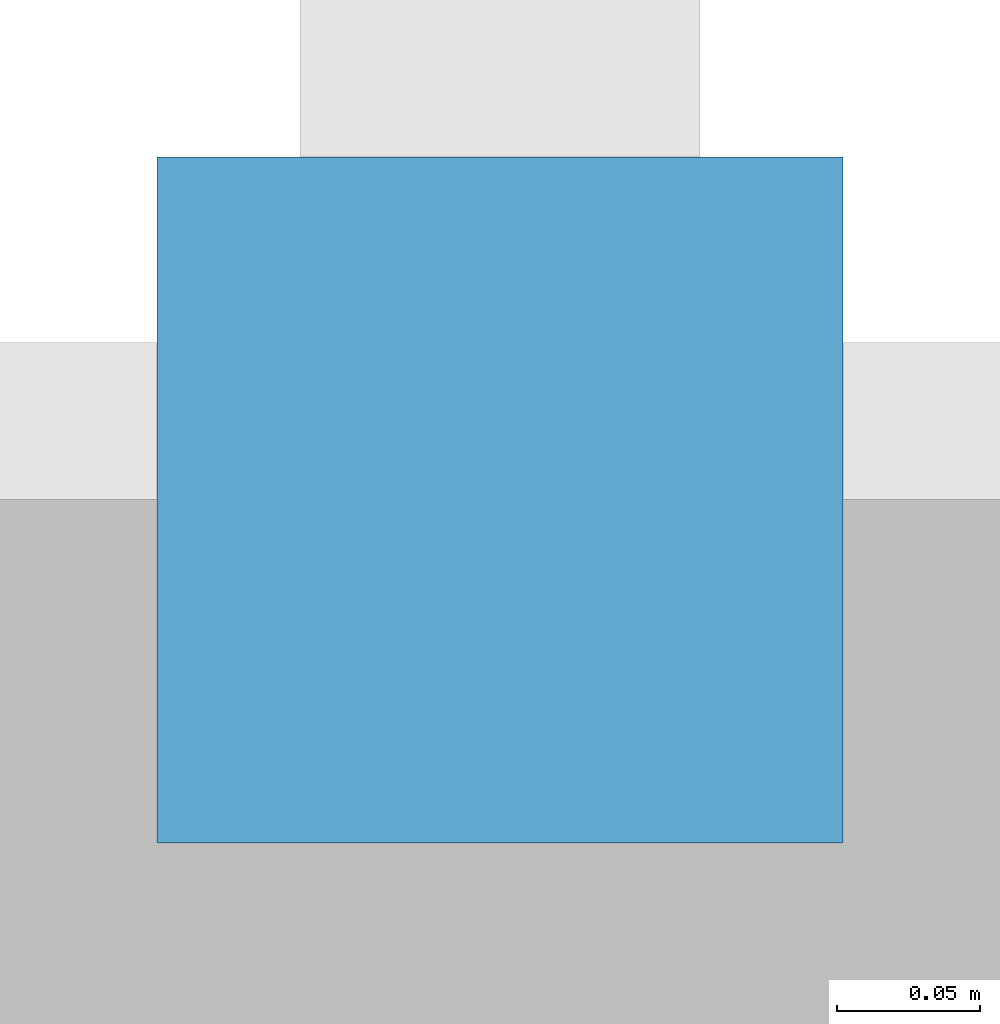
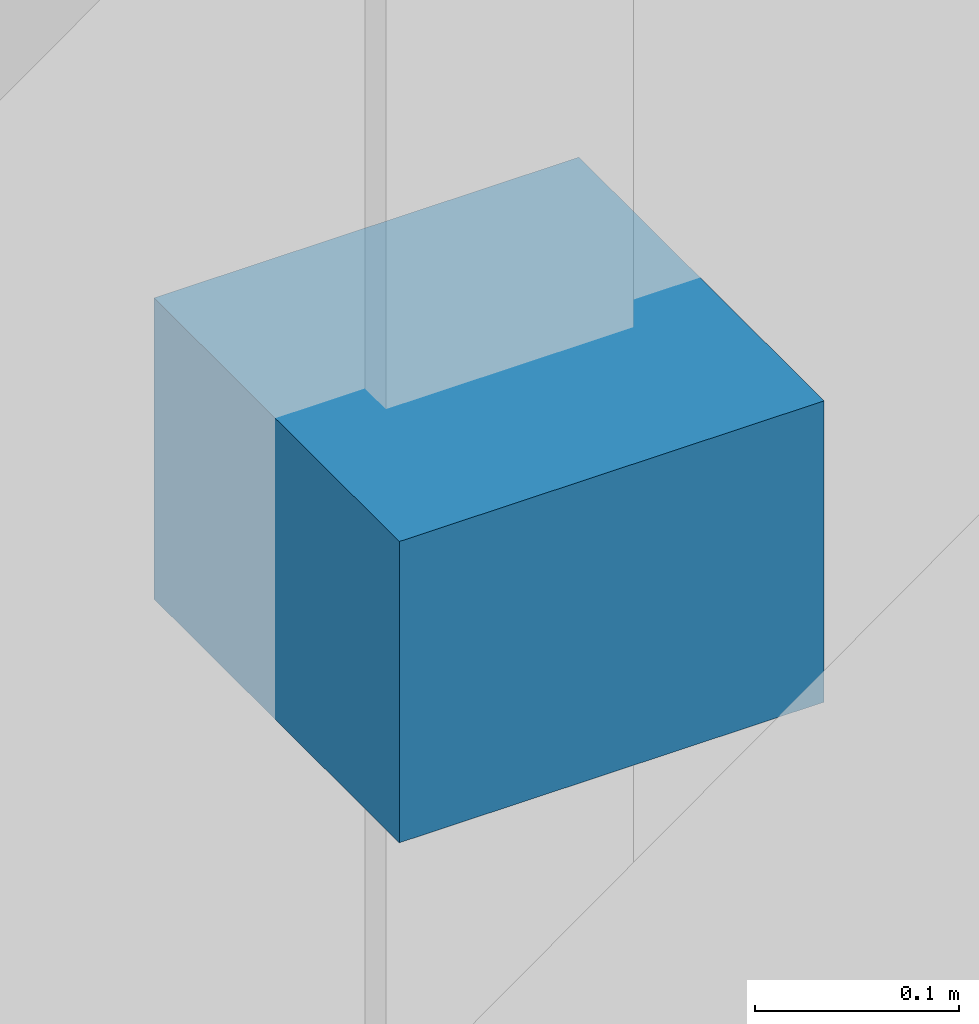
# One storey, part 39 of 50: 1 discrete accessory.
"""IFC4 building model written with IfcOpenShell, lengths in metres."""

from ifc_helpers import new_model, si_unit, direction, frame, origin, origin_2d, place, context, subcontext, project, spatial, rectangle, extrude, material, layer, layer_set, type_object, element, save


model = new_model("IFC4")

# Units and contexts
model_context = context("Model", 3, precision=1e-05, world=origin(), true_north=direction((0.0, 1.0)))
body_context = subcontext(model_context, "Body", "Model", "MODEL_VIEW")
ifc_project = project(units=[si_unit("LENGTHUNIT", "METRE"), si_unit("AREAUNIT", "SQUARE_METRE"), si_unit("VOLUMEUNIT", "CUBIC_METRE"), si_unit("PLANEANGLEUNIT", "RADIAN"), si_unit("MASSUNIT", "GRAM", prefix="KILO")], contexts=[model_context])

# Site, building, storey
site_placement = place(None, origin())
site = spatial("IfcSite", under=ifc_project, at=site_placement, CompositionType="ELEMENT")
building_placement = place(site_placement, origin())
building = spatial("IfcBuilding", under=site, at=building_placement, Name="Zaverband Oceanarium and Marine Research Institute", CompositionType="ELEMENT")
storey_placement = place(building_placement, frame((0.0, 0.0, 9.0)))
storey = spatial("IfcBuildingStorey", under=building, at=storey_placement, Name="L02", CompositionType="ELEMENT", Elevation=9.0)

# Discrete accessory
ifc_material = material(Name="Steel S355", Category="steel")
ifc_layer = layer(ifc_material, 0.179931640625, Name="Steel S355")
ifc_layer_set = layer_set([ifc_layer], Name="Steel S355")
discrete_accessory_type = type_object("IfcDiscreteAccessoryType", Name="BRK-STL-200", PredefinedType="BRACKET", material=ifc_layer_set)
discrete_accessory_placement = place(storey_placement, frame((127.10498046875, 120.169921875, 1.22021484375), z_axis=(0.0, 0.0, 1.0), x_axis=(1.0, 0.0, 0.0)))
element("IfcDiscreteAccessory", 1, at=discrete_accessory_placement, inside=storey, type_object=discrete_accessory_type, Name="Galvanized steel facade fin structural bracket BRK-STL-200", PredefinedType="BRACKET", context=body_context, shape_type="SweptSolid", body=[
    extrude(rectangle(XDim=0.239990234375, YDim=0.239990234375, at=origin_2d()), origin(), (0.0, 0.0, 1.0), 0.179931640625),
])

save(model, "model.ifc")
